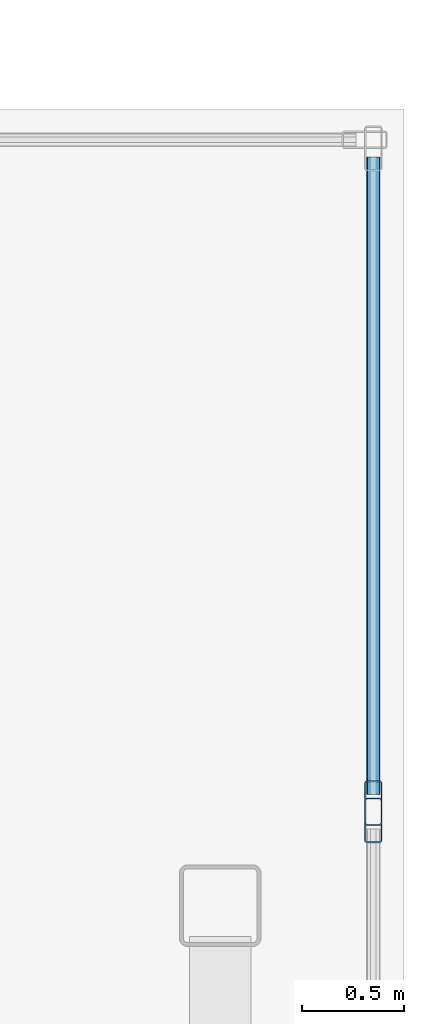
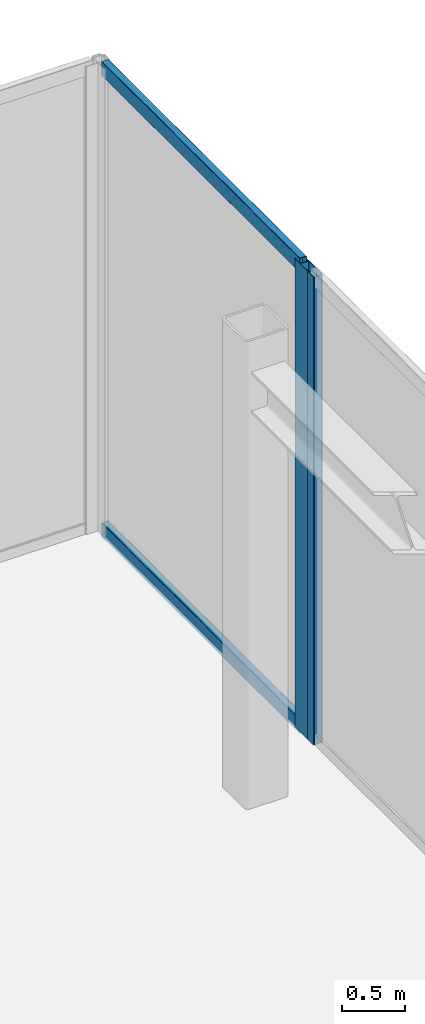
# One storey, part 8 of 15: 4 members, 2 elements without a shape of their own.
"""IFC4 building model written with IfcOpenShell, lengths in metres."""

from ifc_helpers import new_model, si_unit, direction, frame, origin, origin_2d, place, context, subcontext, project, spatial, hollow_rectangle, extrude, material, layer, layer_set, material_profile, profile_set, type_object, element, aggregate, save


model = new_model("IFC4")

# Units and contexts
model_context = context("Model", 3, precision=1e-05, world=origin(), true_north=direction((0.0, 1.0)))
body_context = subcontext(model_context, "Body", "Model", "MODEL_VIEW")
ifc_project = project(units=[si_unit("LENGTHUNIT", "METRE"), si_unit("AREAUNIT", "SQUARE_METRE"), si_unit("VOLUMEUNIT", "CUBIC_METRE"), si_unit("PLANEANGLEUNIT", "RADIAN"), si_unit("MASSUNIT", "GRAM", prefix="KILO")], contexts=[model_context])

# Site, building, storey
site_placement = place(None, origin())
site = spatial("IfcSite", under=ifc_project, at=site_placement, CompositionType="ELEMENT")
building_placement = place(site_placement, origin())
building = spatial("IfcBuilding", under=site, at=building_placement, Name="Tarnavaz Court Tower", CompositionType="ELEMENT")
storey_placement = place(building_placement, frame((0.0, 0.0, 295.050048828125)))
storey = spatial("IfcBuildingStorey", under=building, at=storey_placement, Name="C04", CompositionType="ELEMENT", Elevation=295.050048828125)

# Curtain wall, member
ifc_material_1 = material(Name="Anodised Aluminium 6063-T6 and Solar Low-E Glazing", Category="aluminium")
ifc_layer = layer(ifc_material_1, 0.2099609375)
ifc_layer_set = layer_set([ifc_layer], Name="Anodised Aluminium 6063-T6 and Solar Low-E Glazing")
curtain_wall_type = type_object("IfcCurtainWallType", Name="CW-SYS-06", PredefinedType="NOTDEFINED", material=ifc_layer_set)
curtain_wall_1_placement = place(storey_placement, origin())
curtain_wall_1 = element("IfcCurtainWall", 1, at=curtain_wall_1_placement, inside=storey, type_object=curtain_wall_type, Name="C04 Slanted Crown Terracotta Curtain Wall 10", PredefinedType="NOTDEFINED")
ifc_material_2 = material(Name="Anodised Aluminium 6063-T6", Category="aluminium")
ifc_material_profile_1 = material_profile(ifc_material_2, hollow_rectangle(XDim=0.0849609375, YDim=0.219970703125, WallThickness=0.006103515625, InnerFilletRadius=0.006103515625, OuterFilletRadius=0.011962890625, at=origin_2d()), Name="ALU RHS 220X85X6")
ifc_profile_set_1 = profile_set([ifc_material_profile_1], Name="Anodised Aluminium 6063-T6")
member_type_1 = type_object("IfcMemberType", Name="CW-MUL-220", PredefinedType="MULLION", material=ifc_profile_set_1)
member_1_placement = place(storey_placement, frame((22.64990234375, 14.302490234375, 0.0), z_axis=(0.0, 0.0, 1.0), x_axis=(1.0, 0.0, 0.0)))
member_1 = element("IfcMember", 2, at=member_1_placement, type_object=member_type_1, Name="CW mullion 2", PredefinedType="MULLION", context=body_context, shape_type="SweptSolid", body=[
    extrude(hollow_rectangle(XDim=0.0849609375, YDim=0.219970703125, WallThickness=0.006103515625, InnerFilletRadius=0.006103515625, OuterFilletRadius=0.011962890625, at=origin_2d()), origin(), (0.0, 0.0, 1.0), 4.5),
])

curtain_wall_2_placement = place(storey_placement, origin())
curtain_wall_2 = element("IfcCurtainWall", 3, at=curtain_wall_2_placement, inside=storey, type_object=curtain_wall_type, Name="C04 Slanted Crown Terracotta Curtain Wall 11", PredefinedType="NOTDEFINED")
member_2_placement = place(storey_placement, frame((22.64990234375, 14.217529296875, 0.0), z_axis=(0.0, 0.0, 1.0), x_axis=(1.0, 0.0, 0.0)))
member_2 = element("IfcMember", 4, at=member_2_placement, type_object=member_type_1, Name="CW mullion 1", PredefinedType="MULLION", context=body_context, shape_type="SweptSolid", body=[
    extrude(hollow_rectangle(XDim=0.0849609375, YDim=0.219970703125, WallThickness=0.006103515625, InnerFilletRadius=0.006103515625, OuterFilletRadius=0.011962890625, at=origin_2d()), origin(), (0.0, 0.0, 1.0), 4.5),
])
aggregate(curtain_wall_2, [member_2])

# Member
ifc_material_profile_2 = material_profile(ifc_material_2, hollow_rectangle(XDim=0.06494140625, YDim=0.139892578125, WallThickness=0.00390625, InnerFilletRadius=0.00390625, OuterFilletRadius=0.008056640625, at=origin_2d()), Name="ALU RHS 140X65X4")
ifc_profile_set_2 = profile_set([ifc_material_profile_2], Name="Anodised Aluminium 6063-T6")
member_type_2 = type_object("IfcMemberType", Name="CW-TRN-140", PredefinedType="USERDEFINED", material=ifc_profile_set_2)
member_3_placement = place(storey_placement, frame((22.64990234375, 17.465087890625, 0.032470703125), z_axis=(0.0, -1.0, 0.0), x_axis=(1.0, 0.0, 0.0)))
member_3 = element("IfcMember", 5, at=member_3_placement, type_object=member_type_2, Name="CW transom 1.1", ObjectType="TRANSOM", PredefinedType="USERDEFINED", context=body_context, shape_type="SweptSolid", body=[
    extrude(hollow_rectangle(XDim=0.06494140625, YDim=0.139892578125, WallThickness=0.00390625, InnerFilletRadius=0.00390625, OuterFilletRadius=0.008056640625, at=origin_2d()), origin(), (0.0, 0.0, 1.0), 3.1201171875),
])

member_4_placement = place(storey_placement, frame((22.64990234375, 17.465087890625, 4.467529296875), z_axis=(0.0, -1.0, 0.0), x_axis=(1.0, 0.0, 0.0)))
member_4 = element("IfcMember", 6, at=member_4_placement, type_object=member_type_2, Name="CW transom 1.2", ObjectType="TRANSOM", PredefinedType="USERDEFINED", context=body_context, shape_type="SweptSolid", body=[
    extrude(hollow_rectangle(XDim=0.06494140625, YDim=0.139892578125, WallThickness=0.00390625, InnerFilletRadius=0.00390625, OuterFilletRadius=0.008056640625, at=origin_2d()), origin(), (0.0, 0.0, 1.0), 3.1201171875),
])

aggregate(curtain_wall_1, [member_1, member_3, member_4])

save(model, "model.ifc")
